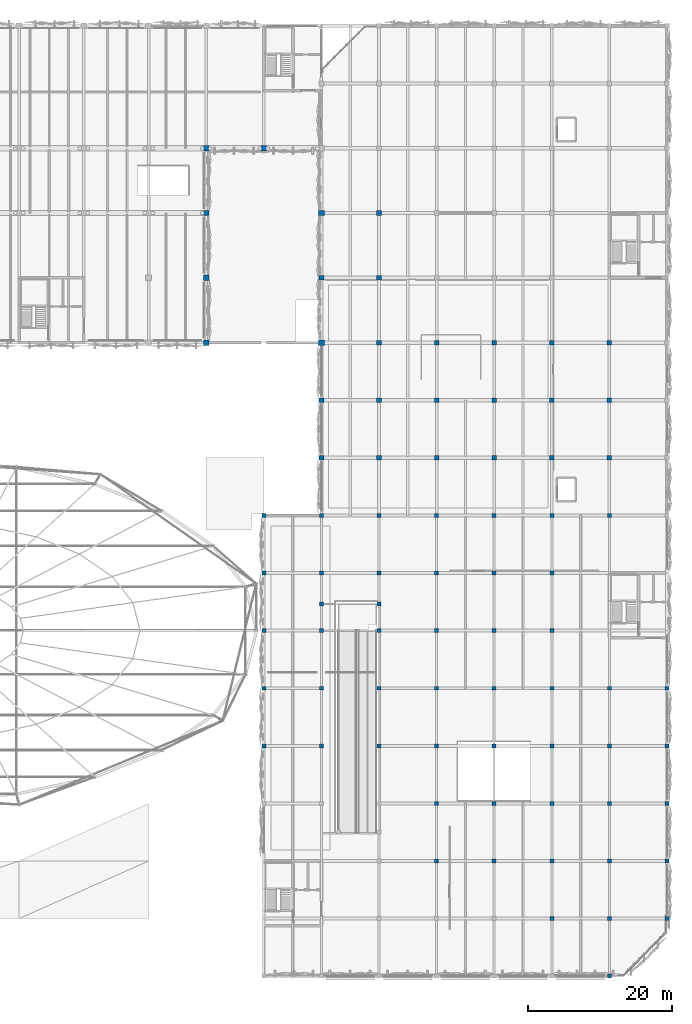
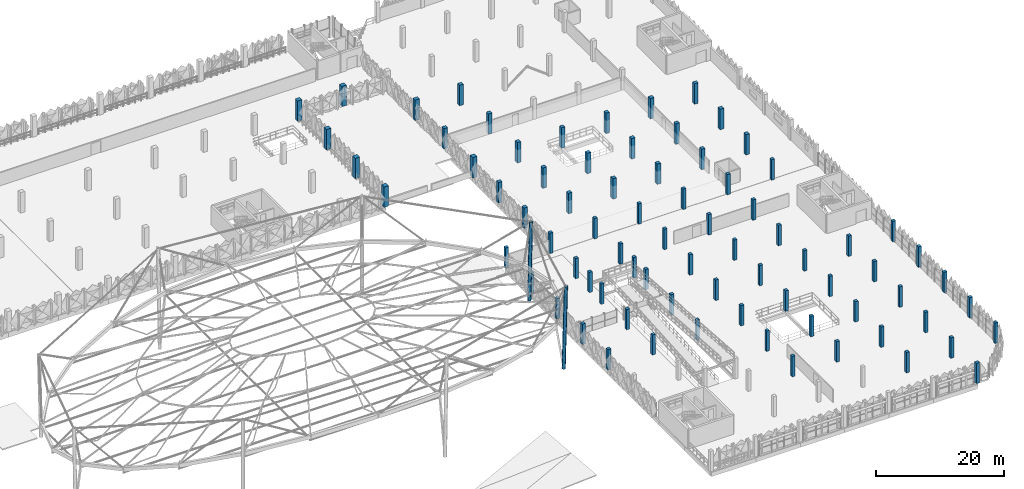
# One storey, part 4 of 96: 80 columns.
"""IFC4 building model written with IfcOpenShell, lengths in metres."""

from ifc_helpers import new_model, si_unit, derived_unit, direction, frame, origin, origin_2d, place, context, subcontext, project, spatial, rectangle, hollow_circle, extrude, material, material_profile, profile_set, type_object, element, save


model = new_model("IFC4")

# Units and contexts
model_context = context("Model", 3, precision=1e-05, world=origin(), true_north=direction((0.0, 1.0)))
body_context = subcontext(model_context, "Body", "Model", "MODEL_VIEW")
ifc_project = project(units=[si_unit("LENGTHUNIT", "METRE"), si_unit("AREAUNIT", "SQUARE_METRE"), si_unit("VOLUMEUNIT", "CUBIC_METRE"), si_unit("PLANEANGLEUNIT", "RADIAN"), si_unit("MASSUNIT", "GRAM", prefix="KILO"), si_unit("THERMODYNAMICTEMPERATUREUNIT", "KELVIN"), derived_unit("THERMALTRANSMITTANCEUNIT", [(si_unit("POWERUNIT", "WATT"), 1), (si_unit("AREAUNIT", "SQUARE_METRE"), -1), (si_unit("THERMODYNAMICTEMPERATUREUNIT", "KELVIN"), -1)])], contexts=[model_context])

# Site, building, storey
site_placement = place(None, origin())
site = spatial("IfcSite", under=ifc_project, at=site_placement, CompositionType="ELEMENT")
building_placement = place(site_placement, origin())
building = spatial("IfcBuilding", under=site, at=building_placement, Name="Haiyu Intermodal Mobility Hub", CompositionType="ELEMENT")
storey_placement = place(building_placement, frame((0.0, 0.0, 9.5)))
storey = spatial("IfcBuildingStorey", under=building, at=storey_placement, Name="L02", CompositionType="ELEMENT", Elevation=9.5)

# Columns
ifc_material_1 = material(Name="Precast concrete C40", Category="concrete")
ifc_material_profile_1 = material_profile(ifc_material_1, rectangle(XDim=0.800048828125, YDim=0.800048828125, at=origin_2d()), Name="RC800x800")
ifc_profile_set_1 = profile_set([ifc_material_profile_1], Name="Precast concrete C40")
column_type_1 = type_object("IfcColumnType", Name="COL-CC02", PredefinedType="COLUMN", material=ifc_profile_set_1)
column_1_placement = place(storey_placement, frame((146.0, 113.0, 0.0), z_axis=(0.0, 0.0, 1.0), x_axis=(1.0, 0.0, 0.0)))
element("IfcColumn", 1, at=column_1_placement, inside=storey, type_object=column_type_1, Name="Column V3S-16N L02", PredefinedType="COLUMN", context=body_context, shape_type="SweptSolid", body=[
    extrude(rectangle(XDim=0.800048828125, YDim=0.800048828125, at=origin_2d()), origin(), (0.0, 0.0, 1.0), 3.89990234375),
])
ifc_material_profile_2 = material_profile(ifc_material_1, rectangle(XDim=0.800048828125, YDim=0.800048828125, at=origin_2d()), Name="RC800x800")
ifc_profile_set_2 = profile_set([ifc_material_profile_2], Name="Precast concrete C40")
column_type_2 = type_object("IfcColumnType", Name="COL-CC02-EXT", PredefinedType="COLUMN", material=ifc_profile_set_2)
for number, where, z_axis, x_axis, name in (
    (2, (146.0, 104.0, 0.0), (0.0, 0.0, 1.0), (1.0, 0.0, 0.0), "Column V4-16M L02"),
    (3, (162.0, 104.0, 0.0), (0.0, 0.0, 1.0), (1.0, 0.0, 0.0), "Column V4-18M L02"),
):
    element("IfcColumn", number, at=place(storey_placement, frame(where, z_axis=z_axis, x_axis=x_axis)), inside=storey, type_object=column_type_2, Name=name, PredefinedType="COLUMN", context=body_context, shape_type="SweptSolid", body=[
        extrude(rectangle(XDim=0.800048828125, YDim=0.800048828125, at=origin_2d()), origin(), (0.0, 0.0, 1.0), 3.89990234375),
    ])
ifc_material_2 = material(Name="Concrete C40", Category="concrete")
ifc_material_profile_3 = material_profile(ifc_material_2, rectangle(XDim=0.64990234375, YDim=0.64990234375, at=origin_2d()), Name="RC650x650")
ifc_profile_set_3 = profile_set([ifc_material_profile_3], Name="Concrete C40")
column_type_3 = type_object("IfcColumnType", Name="COL-CC09", PredefinedType="COLUMN", material=ifc_profile_set_3)
for number, where, z_axis, x_axis, name in (
    (4, (170.0, 88.0, 0.0), (0.0, 0.0, 1.0), (1.0, 0.0, 0.0), "Column V6-19K L02"),
    (5, (170.0, 96.0, 0.0), (0.0, 0.0, 1.0), (1.0, 0.0, 0.0), "Column V6-19L L02"),
    (6, (170.0, 104.0, 0.0), (0.0, 0.0, 1.0), (1.0, 0.0, 0.0), "Column V6-19M L02"),
    (7, (170.0, 113.0, 0.0), (0.0, 0.0, 1.0), (1.0, 0.0, 0.0), "Column V6-19N L02"),
    (8, (170.0, 122.0, 0.0), (0.0, 0.0, 1.0), (1.0, 0.0, 0.0), "Column V6-19P L02"),
    (9, (178.0, 88.0, 0.0), (0.0, 0.0, 1.0), (1.0, 0.0, 0.0), "Column V6-20K L02"),
    (10, (178.0, 96.0, 0.0), (0.0, 0.0, 1.0), (1.0, 0.0, 0.0), "Column V6-20L L02"),
    (11, (178.0, 104.0, 0.0), (0.0, 0.0, 1.0), (1.0, 0.0, 0.0), "Column V6-20M L02"),
    (12, (186.0, 88.0, 0.0), (0.0, 0.0, 1.0), (1.0, 0.0, 0.0), "Column V6-21K L02"),
    (13, (186.0, 96.0, 0.0), (0.0, 0.0, 1.0), (1.0, 0.0, 0.0), "Column V6-21L L02"),
    (14, (186.0, 104.0, 0.0), (0.0, 0.0, 1.0), (1.0, 0.0, 0.0), "Column V6-21M L02"),
    (15, (194.0, 88.0, 0.0), (0.0, 0.0, 1.0), (1.0, 0.0, 0.0), "Column V6-22K L02"),
    (16, (194.0, 96.0, 0.0), (0.0, 0.0, 1.0), (1.0, 0.0, 0.0), "Column V6-22L L02"),
    (17, (194.0, 104.0, 0.0), (0.0, 0.0, 1.0), (1.0, 0.0, 0.0), "Column V6-22M L02"),
    (18, (202.0, 88.0, 0.0), (0.0, 0.0, 1.0), (1.0, 0.0, 0.0), "Column V6-23K L02"),
    (19, (202.0, 96.0, 0.0), (0.0, 0.0, 1.0), (1.0, 0.0, 0.0), "Column V6-23L L02"),
    (20, (202.0, 104.0, 0.0), (0.0, 0.0, 1.0), (1.0, 0.0, 0.0), "Column V6-23M L02"),
):
    element("IfcColumn", number, at=place(storey_placement, frame(where, z_axis=z_axis, x_axis=x_axis)), inside=storey, type_object=column_type_3, Name=name, PredefinedType="COLUMN", context=body_context, shape_type="SweptSolid", body=[
        extrude(rectangle(XDim=0.64990234375, YDim=0.64990234375, at=origin_2d()), origin(), (0.0, 0.0, 1.0), 3.89990234375),
    ])
ifc_material_profile_4 = material_profile(ifc_material_2, rectangle(XDim=0.64990234375, YDim=0.64990234375, at=origin_2d()), Name="RC650x650")
ifc_profile_set_4 = profile_set([ifc_material_profile_4], Name="Concrete C40")
column_type_4 = type_object("IfcColumnType", Name="COL-CC09-EXT", PredefinedType="COLUMN", material=ifc_profile_set_4)
for number, where, z_axis, x_axis, name in (
    (21, (162.0, 88.0, 0.0), (0.0, 0.0, 1.0), (1.0, 0.0, 0.0), "Column V6-18K L02"),
    (22, (162.0, 96.0, 0.0), (0.0, 0.0, 1.0), (1.0, 0.0, 0.0), "Column V6-18L L02"),
    (23, (162.0, 113.0, 0.0), (0.0, 0.0, 1.0), (1.0, 0.0, 0.0), "Column V6-18N L02"),
):
    element("IfcColumn", number, at=place(storey_placement, frame(where, z_axis=z_axis, x_axis=x_axis)), inside=storey, type_object=column_type_4, Name=name, PredefinedType="COLUMN", context=body_context, shape_type="SweptSolid", body=[
        extrude(rectangle(XDim=0.64990234375, YDim=0.64990234375, at=origin_2d()), origin(), (0.0, 0.0, 1.0), 3.89990234375),
    ])
ifc_material_profile_5 = material_profile(ifc_material_2, rectangle(XDim=0.550048828125, YDim=0.550048828125, at=origin_2d()), Name="RC550x550")
ifc_profile_set_5 = profile_set([ifc_material_profile_5], Name="Concrete C40")
column_type_5 = type_object("IfcColumnType", Name="COL-CC11", PredefinedType="COLUMN", material=ifc_profile_set_5)
for number, where, z_axis, x_axis, name in (
    (24, (154.0, 64.0, 0.0), (0.0, 0.0, 1.0), (1.0, 0.0, 0.0), "Column V1-17G L02"),
    (25, (154.0, 72.0, 0.0), (0.0, 0.0, 1.0), (1.0, 0.0, 0.0), "Column V1-17H L02"),
    (26, (170.0, 48.0, 0.0), (0.0, 0.0, 1.0), (1.0, 0.0, 0.0), "Column V5-19E L02"),
    (27, (170.0, 56.0, 0.0), (0.0, 0.0, 1.0), (1.0, 0.0, 0.0), "Column V5-19F L02"),
    (28, (170.0, 64.0, 0.0), (0.0, 0.0, 1.0), (1.0, 0.0, 0.0), "Column V5-19G L02"),
    (29, (178.0, 32.0, 0.0), (0.0, 0.0, 1.0), (1.0, 0.0, 0.0), "Column V5-20C L02"),
    (30, (178.0, 40.0, 0.0), (0.0, 0.0, 1.0), (1.0, 0.0, 0.0), "Column V5-20D L02"),
    (31, (178.0, 48.0, 0.0), (0.0, 0.0, 1.0), (1.0, 0.0, 0.0), "Column V5-20E L02"),
    (32, (178.0, 56.0, 0.0), (0.0, 0.0, 1.0), (1.0, 0.0, 0.0), "Column V5-20F L02"),
    (33, (178.0, 64.0, 0.0), (0.0, 0.0, 1.0), (1.0, 0.0, 0.0), "Column V5-20G L02"),
    (34, (186.0, 32.0, 0.0), (0.0, 0.0, 1.0), (1.0, 0.0, 0.0), "Column V5-21C L02"),
    (35, (186.0, 40.0, 0.0), (0.0, 0.0, 1.0), (1.0, 0.0, 0.0), "Column V5-21D L02"),
    (36, (186.0, 48.0, 0.0), (0.0, 0.0, 1.0), (1.0, 0.0, 0.0), "Column V5-21E L02"),
    (37, (186.0, 56.0, 0.0), (0.0, 0.0, 1.0), (1.0, 0.0, 0.0), "Column V5-21F L02"),
    (38, (186.0, 64.0, 0.0), (0.0, 0.0, 1.0), (1.0, 0.0, 0.0), "Column V5-21G L02"),
    (39, (194.0, 24.0, 0.0), (0.0, 0.0, 1.0), (1.0, 0.0, 0.0), "Column V5-22B L02"),
    (40, (194.0, 32.0, 0.0), (0.0, 0.0, 1.0), (1.0, 0.0, 0.0), "Column V5-22C L02"),
    (41, (194.0, 40.0, 0.0), (0.0, 0.0, 1.0), (1.0, 0.0, 0.0), "Column V5-22D L02"),
    (42, (194.0, 48.0, 0.0), (0.0, 0.0, 1.0), (1.0, 0.0, 0.0), "Column V5-22E L02"),
    (43, (194.0, 56.0, 0.0), (0.0, 0.0, 1.0), (1.0, 0.0, 0.0), "Column V5-22F L02"),
    (44, (194.0, 64.0, 0.0), (0.0, 0.0, 1.0), (1.0, 0.0, 0.0), "Column V5-22G L02"),
    (45, (202.0, 24.0, 0.0), (0.0, 0.0, 1.0), (1.0, 0.0, 0.0), "Column V5-23B L02"),
    (46, (202.0, 32.0, 0.0), (0.0, 0.0, 1.0), (1.0, 0.0, 0.0), "Column V5-23C L02"),
    (47, (202.0, 40.0, 0.0), (0.0, 0.0, 1.0), (1.0, 0.0, 0.0), "Column V5-23D L02"),
    (48, (202.0, 48.0, 0.0), (0.0, 0.0, 1.0), (1.0, 0.0, 0.0), "Column V5-23E L02"),
    (49, (202.0, 56.0, 0.0), (0.0, 0.0, 1.0), (1.0, 0.0, 0.0), "Column V5-23F L02"),
    (50, (162.0, 67.699951171875, 0.0), (0.0, 0.0, 1.0), (1.0, 0.0, 0.0), "Column BRMP-5 L02"),
    (51, (170.0, 67.699951171875, 0.0), (0.0, 0.0, 1.0), (1.0, 0.0, 0.0), "Column BRMP-6 L02"),
):
    element("IfcColumn", number, at=place(storey_placement, frame(where, z_axis=z_axis, x_axis=x_axis)), inside=storey, type_object=column_type_5, Name=name, PredefinedType="COLUMN", context=body_context, shape_type="SweptSolid", body=[
        extrude(rectangle(XDim=0.550048828125, YDim=0.550048828125, at=origin_2d()), origin(), (0.0, 0.0, 1.0), 3.89990234375),
    ])
ifc_material_profile_6 = material_profile(ifc_material_2, rectangle(XDim=0.550048828125, YDim=0.550048828125, at=origin_2d()), Name="RC550x550")
ifc_profile_set_6 = profile_set([ifc_material_profile_6], Name="Concrete C40")
column_type_6 = type_object("IfcColumnType", Name="COL-CC11-EXT", PredefinedType="COLUMN", material=ifc_profile_set_6)
for number, where, z_axis, x_axis, name in (
    (52, (154.0, 48.0, 0.0), (0.0, 0.0, 1.0), (1.0, 0.0, 0.0), "Column V5-17E L02"),
    (53, (154.0, 56.0, 0.0), (0.0, 0.0, 1.0), (1.0, 0.0, 0.0), "Column V5-17F L02"),
    (54, (154.0, 80.0, 0.0), (0.0, 0.0, 1.0), (1.0, 0.0, 0.0), "Column V5-17J L02"),
    (55, (162.0, 48.0, 0.0), (0.0, 0.0, 1.0), (1.0, 0.0, 0.0), "Column V5-18E L02"),
    (56, (162.0, 56.0, 0.0), (0.0, 0.0, 1.0), (1.0, 0.0, 0.0), "Column V5-18F L02"),
    (57, (162.0, 64.0, 0.0), (0.0, 0.0, 1.0), (1.0, 0.0, 0.0), "Column V5-18G L02"),
    (58, (162.0, 72.0, 0.0), (0.0, 0.0, 1.0), (1.0, 0.0, 0.0), "Column V5-18H L02"),
    (59, (162.0, 80.0, 0.0), (0.0, 0.0, 1.0), (1.0, 0.0, 0.0), "Column V5-18J L02"),
    (60, (170.0, 72.0, 0.0), (0.0, 0.0, 1.0), (1.0, 0.0, 0.0), "Column V5-19H L02"),
    (61, (170.0, 80.0, 0.0), (0.0, 0.0, 1.0), (1.0, 0.0, 0.0), "Column V5-19J L02"),
    (62, (178.0, 72.0, 0.0), (0.0, 0.0, 1.0), (1.0, 0.0, 0.0), "Column V5-20H L02"),
    (63, (178.0, 80.0, 0.0), (0.0, 0.0, 1.0), (1.0, 0.0, 0.0), "Column V5-20J L02"),
    (64, (186.0, 72.0, 0.0), (0.0, 0.0, 1.0), (1.0, 0.0, 0.0), "Column V5-21H L02"),
    (65, (186.0, 80.0, 0.0), (0.0, 0.0, 1.0), (1.0, 0.0, 0.0), "Column V5-21J L02"),
    (66, (194.0, 72.0, 0.0), (0.0, 0.0, 1.0), (1.0, 0.0, 0.0), "Column V5-22H L02"),
    (67, (194.0, 80.0, 0.0), (0.0, 0.0, 1.0), (1.0, 0.0, 0.0), "Column V5-22J L02"),
    (68, (202.0, 16.0, 0.0), (0.0, 0.0, 1.0), (1.0, 0.0, 0.0), "Column V5-23A L02"),
    (69, (202.0, 80.0, 0.0), (0.0, 0.0, 1.0), (1.0, 0.0, 0.0), "Column V5-23J L02"),
    (70, (210.0, 24.0, 0.0), (0.0, 0.0, 1.0), (1.0, 0.0, 0.0), "Column V5-24B L02"),
    (71, (210.0, 32.0, 0.0), (0.0, 0.0, 1.0), (1.0, 0.0, 0.0), "Column V5-24C L02"),
    (72, (210.0, 40.0, 0.0), (0.0, 0.0, 1.0), (1.0, 0.0, 0.0), "Column V5-24D L02"),
    (73, (210.0, 48.0, 0.0), (0.0, 0.0, 1.0), (1.0, 0.0, 0.0), "Column V5-24E L02"),
    (74, (210.0, 56.0, 0.0), (0.0, 0.0, 1.0), (1.0, 0.0, 0.0), "Column V5-24F L02"),
):
    element("IfcColumn", number, at=place(storey_placement, frame(where, z_axis=z_axis, x_axis=x_axis)), inside=storey, type_object=column_type_6, Name=name, PredefinedType="COLUMN", context=body_context, shape_type="SweptSolid", body=[
        extrude(rectangle(XDim=0.550048828125, YDim=0.550048828125, at=origin_2d()), origin(), (0.0, 0.0, 1.0), 3.89990234375),
    ])
ifc_material_profile_7 = material_profile(ifc_material_1, rectangle(XDim=0.800048828125, YDim=0.699951171875, at=origin_2d()), Name="C800x700")
ifc_profile_set_7 = profile_set([ifc_material_profile_7], Name="Precast concrete C40")
column_type_7 = type_object("IfcColumnType", Name="COL-CC20", PredefinedType="COLUMN", material=ifc_profile_set_7)
for number, where, z_axis, x_axis, name in (
    (75, (146.0, 122.0, 0.0), (0.0, 0.0, 1.0), (1.0, 0.0, 0.0), "Column V4-16P L02"),
    (76, (146.0, 131.0, 0.0), (0.0, 0.0, 1.0), (1.0, 0.0, 0.0), "Column V4-16Q L02"),
    (77, (154.0, 131.0, 0.0), (0.0, 0.0, 1.0), (1.0, 0.0, 0.0), "Column V4-17Q L02"),
):
    element("IfcColumn", number, at=place(storey_placement, frame(where, z_axis=z_axis, x_axis=x_axis)), inside=storey, type_object=column_type_7, Name=name, PredefinedType="COLUMN", context=body_context, shape_type="SweptSolid", body=[
        extrude(rectangle(XDim=0.800048828125, YDim=0.699951171875, at=origin_2d()), origin(), (0.0, 0.0, 1.0), 3.89990234375),
    ])
ifc_material_profile_8 = material_profile(ifc_material_1, rectangle(XDim=0.800048828125, YDim=0.699951171875, at=origin_2d()), Name="C800x700")
ifc_profile_set_8 = profile_set([ifc_material_profile_8], Name="Precast concrete C40")
column_type_8 = type_object("IfcColumnType", Name="COL-CC20-EXT", PredefinedType="COLUMN", material=ifc_profile_set_8)
column_2_placement = place(storey_placement, frame((162.0, 122.0, 0.0), z_axis=(0.0, 0.0, 1.0), x_axis=(1.0, 0.0, 0.0)))
element("IfcColumn", 78, at=column_2_placement, inside=storey, type_object=column_type_8, Name="Column V4-18P L02", PredefinedType="COLUMN", context=body_context, shape_type="SweptSolid", body=[
    extrude(rectangle(XDim=0.800048828125, YDim=0.699951171875, at=origin_2d()), origin(), (0.0, 0.0, 1.0), 3.89990234375),
])
ifc_material_3 = material(Name="Steel Q355C", Category="steel")
ifc_material_profile_9 = material_profile(ifc_material_3, hollow_circle(Radius=0.304931640625, WallThickness=0.02001953125, at=origin_2d()), Name="CHS610x20")
ifc_profile_set_9 = profile_set([ifc_material_profile_9], Name="Steel Q355C")
column_type_9 = type_object("IfcColumnType", Name="COL-SC01-EXT", PredefinedType="COLUMN", material=ifc_profile_set_9)
column_3_placement = place(storey_placement, frame((152.6259765625, 70.39306640625, 0.0), z_axis=(0.022806646532, 0.006059816552, 0.999721528976), x_axis=(-0.256793903882, 0.966466187163, 0.0)))
element("IfcColumn", 79, at=column_3_placement, inside=storey, type_object=column_type_9, Name="Inclined Cable-Net Steel Mast MC-01", PredefinedType="COLUMN", context=body_context, shape_type="SweptSolid", body=[
    extrude(hollow_circle(Radius=0.304931640625, WallThickness=0.02001953125, at=origin_2d()), origin(), (0.0, 0.0, 1.0), 14.826171875),
])
column_4_placement = place(storey_placement, frame((148.010009765625, 51.64990234375, 0.0), z_axis=(0.019293266814, -0.011131328799, 0.999751900911), x_axis=(0.499742594395, 0.866173965983, 0.0)))
element("IfcColumn", 80, at=column_4_placement, inside=storey, type_object=column_type_9, Name="Inclined Cable-Net Steel Mast MC-08", PredefinedType="COLUMN", context=body_context, shape_type="SweptSolid", body=[
    extrude(hollow_circle(Radius=0.304931640625, WallThickness=0.02001953125, at=origin_2d()), origin(), (0.0, 0.0, 1.0), 15.703857421875),
])

save(model, "model.ifc")
